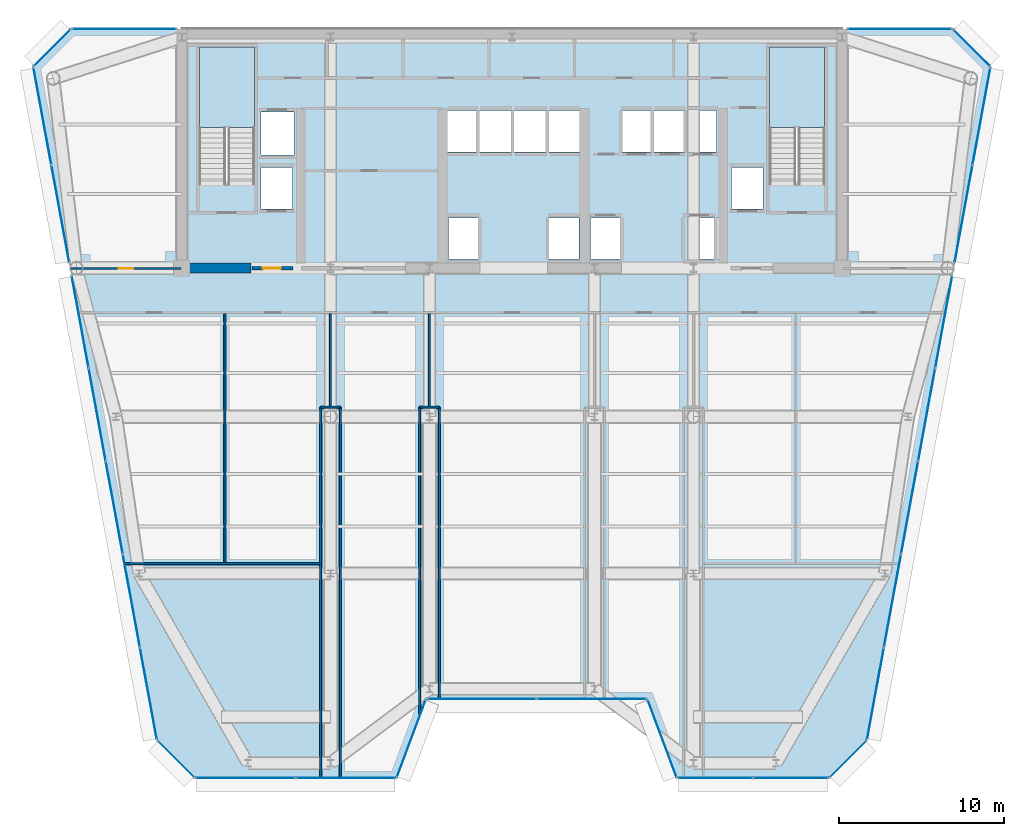
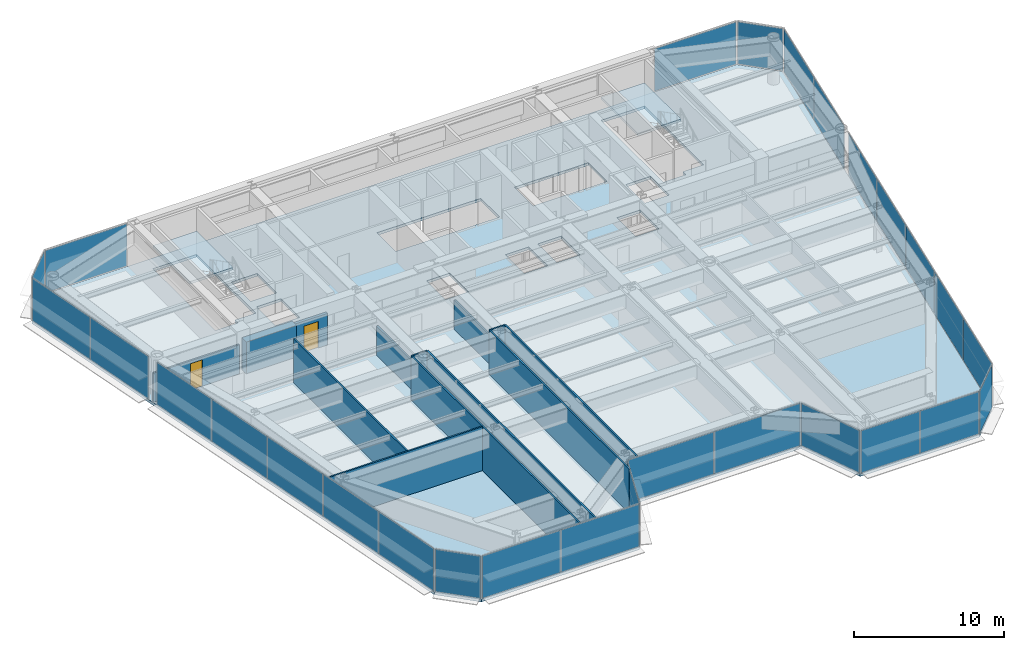
# One storey, part 9 of 16: 28 plates, 13 walls, 3 slabs, 2 doors, 2 openings, 17 elements without a shape of their own.
"""IFC4 building model written with IfcOpenShell, lengths in metres."""

from ifc_helpers import new_model, si_unit, direction, frame, frame_2d, origin, origin_2d, place, context, subcontext, project, spatial, polyline, rectangle, outline, extrude, source, transform, mapped, material, layer, layer_set, type_object, element, fill, aggregate, save


model = new_model("IFC4")

# Units and contexts
model_context = context("Model", 3, precision=1e-05, world=origin(), true_north=direction((0.0, 1.0)))
body_context = subcontext(model_context, "Body", "Model", "MODEL_VIEW")
ifc_project = project(units=[si_unit("LENGTHUNIT", "METRE"), si_unit("AREAUNIT", "SQUARE_METRE"), si_unit("VOLUMEUNIT", "CUBIC_METRE"), si_unit("PLANEANGLEUNIT", "RADIAN"), si_unit("MASSUNIT", "GRAM", prefix="KILO")], contexts=[model_context])

# Site, building, storey
site_placement = place(None, origin())
site = spatial("IfcSite", under=ifc_project, at=site_placement, CompositionType="ELEMENT")
building_placement = place(site_placement, origin())
building = spatial("IfcBuilding", under=site, at=building_placement, Name="Vaeldorn Concourse Tower", CompositionType="ELEMENT")
storey_placement = place(building_placement, frame((0.0, 0.0, 203.199951171875)))
storey = spatial("IfcBuildingStorey", under=building, at=storey_placement, Name="L52", CompositionType="ELEMENT", Elevation=203.199951171875)

# Stair, slab
ifc_material_1 = material(Name="Precast concrete C40/50", Category="concrete")
stair_type = type_object("IfcStairType", Name="STR-DOG-24x158", PredefinedType="HALF_TURN_STAIR", material=ifc_material_1)
stair_1_placement = place(storey_placement, origin())
stair_1 = element("IfcStair", 1, at=stair_1_placement, inside=storey, type_object=stair_type, Name="L52 West Core Exit Stair ST-1", PredefinedType="HALF_TURN_STAIR")
ifc_material_2 = material(Name="Concrete C40/50", Category="concrete")
ifc_layer_1 = layer(ifc_material_2, 0.199951171875)
ifc_layer_set_1 = layer_set([ifc_layer_1], Name="Concrete C40/50")
slab_type_1 = type_object("IfcSlabType", Name="SL-STAIR-LANDING", PredefinedType="LANDING", material=ifc_layer_set_1)
slab_1_placement = place(storey_placement, frame((0.0, 0.0, 1.699951171875)))
slab_1 = element("IfcSlab", 2, at=slab_1_placement, type_object=slab_type_1, Name="ST-1 landing 1", PredefinedType="LANDING", context=body_context, shape_type="SweptSolid", body=[
    extrude(outline(polyline([(18.39990234375, 45.010009765625), (18.39990234375, 49.89990234375), (15.050048828125, 49.89990234375), (15.050048828125, 45.010009765625), (18.39990234375, 45.010009765625)])), origin(), (0.0, 0.0, 1.0), 0.2001953125),
])
aggregate(stair_1, [slab_1])

stair_2_placement = place(storey_placement, origin())
stair_2 = element("IfcStair", 3, at=stair_2_placement, inside=storey, type_object=stair_type, Name="L52 East Core Exit Stair ST-2", PredefinedType="HALF_TURN_STAIR")
slab_2_placement = place(storey_placement, frame((0.0, 0.0, 1.699951171875)))
slab_2 = element("IfcSlab", 4, at=slab_2_placement, type_object=slab_type_1, Name="ST-2 landing 1", PredefinedType="LANDING", context=body_context, shape_type="SweptSolid", body=[
    extrude(outline(polyline([(52.949951171875, 45.010009765625), (52.949951171875, 49.89990234375), (49.60009765625, 49.89990234375), (49.60009765625, 45.010009765625), (52.949951171875, 45.010009765625)])), origin(), (0.0, 0.0, 1.0), 0.2001953125),
])
aggregate(stair_2, [slab_2])

# Slab
ifc_layer_2 = layer(ifc_material_2, 0.219970703125)
ifc_layer_set_2 = layer_set([ifc_layer_2], Name="Concrete C40/50")
slab_type_2 = type_object("IfcSlabType", Name="SL-TYP-220", PredefinedType="FLOOR", material=ifc_layer_set_2)
slab_3_placement = place(storey_placement, frame((0.0, 0.0, -0.219970703125)))
element("IfcSlab", 5, at=slab_3_placement, inside=storey, type_object=slab_type_2, Name="Structural Floor Slab L52", PredefinedType="FLOOR", context=body_context, shape_type="SweptSolid", body=[
    extrude(outline(polyline([(14.791015625, 5.60009765625), (27.0, 5.60009765625), (28.800048828125, 10.39990234375), (42.199951171875, 10.39990234375), (44.0, 5.60009765625), (53.208984375, 5.60009765625), (55.509033203125, 7.89990234375), (63.0, 48.699951171875), (60.699951171875, 51.0), (7.300048828125, 51.0), (5.0, 48.699951171875), (12.490966796875, 7.89990234375), (14.791015625, 5.60009765625)]), holes=[polyline([(18.39990234375, 42.0), (18.39990234375, 49.89990234375), (15.050048828125, 49.89990234375), (15.050048828125, 41.60009765625), (16.800048828125, 41.60009765625), (16.800048828125, 42.0), (18.39990234375, 42.0)]), polyline([(52.949951171875, 42.0), (52.949951171875, 49.89990234375), (49.60009765625, 49.89990234375), (49.60009765625, 41.60009765625), (51.35009765625, 41.60009765625), (51.35009765625, 42.0), (52.949951171875, 42.0)]), polyline([(30.14990234375, 37.050048828125), (31.949951171875, 37.050048828125), (31.949951171875, 39.550048828125), (30.14990234375, 39.550048828125), (30.14990234375, 37.050048828125)]), polyline([(36.25, 37.050048828125), (38.050048828125, 37.050048828125), (38.050048828125, 39.550048828125), (36.25, 39.550048828125), (36.25, 37.050048828125)]), polyline([(30.10009765625, 43.550048828125), (38.10009765625, 43.550048828125), (38.10009765625, 46.050048828125), (30.10009765625, 46.050048828125), (30.10009765625, 43.550048828125)]), polyline([(38.75, 37.050048828125), (40.550048828125, 37.050048828125), (40.550048828125, 39.550048828125), (38.75, 39.550048828125), (38.75, 37.050048828125)]), polyline([(44.85009765625, 37.050048828125), (46.64990234375, 37.050048828125), (46.64990234375, 39.550048828125), (44.85009765625, 39.550048828125), (44.85009765625, 37.050048828125)]), polyline([(40.699951171875, 43.550048828125), (46.39990234375, 43.550048828125), (46.39990234375, 46.050048828125), (40.699951171875, 46.050048828125), (40.699951171875, 43.550048828125)]), polyline([(18.800048828125, 43.35009765625), (20.800048828125, 43.35009765625), (20.800048828125, 45.949951171875), (18.800048828125, 45.949951171875), (18.800048828125, 43.35009765625)]), polyline([(18.800048828125, 40.10009765625), (20.699951171875, 40.10009765625), (20.699951171875, 42.60009765625), (18.800048828125, 42.60009765625), (18.800048828125, 40.10009765625)]), polyline([(47.300048828125, 40.10009765625), (49.199951171875, 40.10009765625), (49.199951171875, 42.60009765625), (47.300048828125, 42.60009765625), (47.300048828125, 40.10009765625)])]), origin(), (0.0, 0.0, 1.0), 0.219970703125),
])

# Curtain wall, plate
ifc_material_3 = material(Name="Anodised Bronze Aluminium", Category="aluminium")
ifc_layer_3 = layer(ifc_material_3, 0.18994140625)
ifc_layer_set_3 = layer_set([ifc_layer_3], Name="Anodised Bronze Aluminium")
curtain_wall_type = type_object("IfcCurtainWallType", Name="CW-SYS-03", PredefinedType="NOTDEFINED", material=ifc_layer_set_3)
curtain_wall_1_placement = place(storey_placement, origin())
curtain_wall_1 = element("IfcCurtainWall", 6, at=curtain_wall_1_placement, inside=storey, type_object=curtain_wall_type, Name="Unitised Curtain Wall CW-L52-E02-1", PredefinedType="NOTDEFINED")
ifc_material_4 = material(Name="Bronze Tinted Low-E Insulated Glass", Category="glass")
ifc_layer_4 = layer(ifc_material_4, 0.031982421875)
ifc_layer_set_4 = layer_set([ifc_layer_4], Name="Bronze Tinted Low-E Insulated Glass")
plate_type = type_object("IfcPlateType", Name="CWP-VISION-32", PredefinedType="CURTAIN_PANEL", material=ifc_layer_set_4)
shared_shape_1 = source(origin(), body_context, "Body", "SweptSolid", [
    extrude(rectangle(XDim=4.996337890625, YDim=0.031982421875, at=origin_2d()), origin(), (0.0, 0.0, 1.0), 3.449951171875),
])
plate_1_placement = place(storey_placement, frame((27.89990234375, 8.0, 0.06494140625), z_axis=(0.0, 0.0, 1.0), x_axis=(0.351123441595, 0.936329177566, 0.0)))
plate_1 = element("IfcPlate", 7, at=plate_1_placement, type_object=plate_type, Name="CW-03 panel 1.1", PredefinedType="CURTAIN_PANEL", context=body_context, shape_type="MappedRepresentation", body=[
    mapped(shared_shape_1, transform((0.0, 0.0, 0.0), scale=1.0)),
])
aggregate(curtain_wall_1, [plate_1])

curtain_wall_2_placement = place(storey_placement, origin())
curtain_wall_2 = element("IfcCurtainWall", 8, at=curtain_wall_2_placement, inside=storey, type_object=curtain_wall_type, Name="Unitised Curtain Wall CW-L52-E04-1", PredefinedType="NOTDEFINED")
plate_2_placement = place(storey_placement, frame((43.10009765625, 8.0, 0.06494140625), z_axis=(0.0, 0.0, 1.0), x_axis=(0.351123441595, -0.936329177566, 0.0)))
plate_2 = element("IfcPlate", 9, at=plate_2_placement, type_object=plate_type, Name="CW-03 panel 1.1", PredefinedType="CURTAIN_PANEL", context=body_context, shape_type="MappedRepresentation", body=[
    mapped(shared_shape_1, transform((0.0, 0.0, 0.0), scale=1.0)),
])
aggregate(curtain_wall_2, [plate_2])

# Curtain wall, plates
curtain_wall_3_placement = place(storey_placement, origin())
curtain_wall_3 = element("IfcCurtainWall", 10, at=curtain_wall_3_placement, inside=storey, type_object=curtain_wall_type, Name="Unitised Curtain Wall CW-L52-E03-1", PredefinedType="NOTDEFINED")
shared_shape_2 = source(origin(), body_context, "Body", "SweptSolid", [
    extrude(rectangle(XDim=6.6025390625, YDim=0.031982421875, at=origin_2d()), origin(), (0.0, 0.0, 1.0), 3.449951171875),
])
plate_3_placement = place(storey_placement, frame((32.166259765625, 10.39990234375, 0.06494140625), z_axis=(0.0, 0.0, 1.0), x_axis=(1.0, 0.0, 0.0)))
plate_3 = element("IfcPlate", 11, at=plate_3_placement, type_object=plate_type, Name="CW-03 panel 1.1", PredefinedType="CURTAIN_PANEL", context=body_context, shape_type="MappedRepresentation", body=[
    mapped(shared_shape_2, transform((0.0, 0.0, 0.0), scale=1.0)),
])
plate_4_placement = place(storey_placement, frame((38.833740234375, 10.39990234375, 0.06494140625), z_axis=(0.0, 0.0, 1.0), x_axis=(1.0, 0.0, 0.0)))
plate_4 = element("IfcPlate", 12, at=plate_4_placement, type_object=plate_type, Name="CW-03 panel 2.1", PredefinedType="CURTAIN_PANEL", context=body_context, shape_type="MappedRepresentation", body=[
    mapped(shared_shape_2, transform((0.0, 0.0, 0.0), scale=1.0)),
])
aggregate(curtain_wall_3, [plate_3, plate_4])

# Curtain wall, plate
curtain_wall_4_placement = place(storey_placement, origin())
curtain_wall_4 = element("IfcCurtainWall", 13, at=curtain_wall_4_placement, inside=storey, type_object=curtain_wall_type, Name="Unitised Curtain Wall CW-L52-E06-1", PredefinedType="NOTDEFINED")
shared_shape_3 = source(origin(), body_context, "Body", "SweptSolid", [
    extrude(rectangle(XDim=3.122802734375, YDim=0.031982421875, at=origin_2d()), origin(), (0.0, 0.0, 1.0), 3.449951171875),
])
plate_5_placement = place(storey_placement, frame((54.35888671875, 6.75, 0.06494140625), z_axis=(0.0, 0.0, 1.0), x_axis=(0.707106781187, 0.707106781187, 0.0)))
plate_5 = element("IfcPlate", 14, at=plate_5_placement, type_object=plate_type, Name="CW-03 panel 1.1", PredefinedType="CURTAIN_PANEL", context=body_context, shape_type="MappedRepresentation", body=[
    mapped(shared_shape_3, transform((0.0, 0.0, 0.0), scale=1.0)),
])
aggregate(curtain_wall_4, [plate_5])

curtain_wall_5_placement = place(storey_placement, origin())
curtain_wall_5 = element("IfcCurtainWall", 15, at=curtain_wall_5_placement, inside=storey, type_object=curtain_wall_type, Name="Unitised Curtain Wall CW-L52-E08-1", PredefinedType="NOTDEFINED")
plate_6_placement = place(storey_placement, frame((61.85009765625, 49.85009765625, 0.06494140625), z_axis=(0.0, 0.0, 1.0), x_axis=(-0.707106781187, 0.707106781187, 0.0)))
plate_6 = element("IfcPlate", 16, at=plate_6_placement, type_object=plate_type, Name="CW-03 panel 1.1", PredefinedType="CURTAIN_PANEL", context=body_context, shape_type="MappedRepresentation", body=[
    mapped(shared_shape_3, transform((0.0, 0.0, 0.0), scale=1.0)),
])
aggregate(curtain_wall_5, [plate_6])

curtain_wall_6_placement = place(storey_placement, origin())
curtain_wall_6 = element("IfcCurtainWall", 17, at=curtain_wall_6_placement, inside=storey, type_object=curtain_wall_type, Name="Unitised Curtain Wall CW-L52-E10-1", PredefinedType="NOTDEFINED")
plate_7_placement = place(storey_placement, frame((6.14990234375, 49.85009765625, 0.06494140625), z_axis=(0.0, 0.0, 1.0), x_axis=(-0.707106781187, -0.707106781187, 0.0)))
plate_7 = element("IfcPlate", 18, at=plate_7_placement, type_object=plate_type, Name="CW-03 panel 1.1", PredefinedType="CURTAIN_PANEL", context=body_context, shape_type="MappedRepresentation", body=[
    mapped(shared_shape_3, transform((0.0, 0.0, 0.0), scale=1.0)),
])
aggregate(curtain_wall_6, [plate_7])

curtain_wall_7_placement = place(storey_placement, origin())
curtain_wall_7 = element("IfcCurtainWall", 19, at=curtain_wall_7_placement, inside=storey, type_object=curtain_wall_type, Name="Unitised Curtain Wall CW-L52-E12-1", PredefinedType="NOTDEFINED")
plate_8_placement = place(storey_placement, frame((13.64111328125, 6.75, 0.06494140625), z_axis=(0.0, 0.0, 1.0), x_axis=(0.707106781187, -0.707106781187, 0.0)))
plate_8 = element("IfcPlate", 20, at=plate_8_placement, type_object=plate_type, Name="CW-03 panel 1.1", PredefinedType="CURTAIN_PANEL", context=body_context, shape_type="MappedRepresentation", body=[
    mapped(shared_shape_3, transform((0.0, 0.0, 0.0), scale=1.0)),
])
aggregate(curtain_wall_7, [plate_8])

curtain_wall_8_placement = place(storey_placement, origin())
curtain_wall_8 = element("IfcCurtainWall", 21, at=curtain_wall_8_placement, inside=storey, type_object=curtain_wall_type, Name="Unitised Curtain Wall CW-L52-E09-1", PredefinedType="NOTDEFINED")
shared_shape_4 = source(origin(), body_context, "Body", "SweptSolid", [
    extrude(rectangle(XDim=6.27490234375, YDim=0.031982421875, at=origin_2d()), origin(), (0.0, 0.0, 1.0), 3.449951171875),
])
plate_9_placement = place(storey_placement, frame((57.49755859375, 51.0, 0.06494140625), z_axis=(0.0, 0.0, 1.0), x_axis=(-1.0, 0.0, 0.0)))
plate_9 = element("IfcPlate", 22, at=plate_9_placement, type_object=plate_type, Name="CW-03 panel 1.1", PredefinedType="CURTAIN_PANEL", context=body_context, shape_type="MappedRepresentation", body=[
    mapped(shared_shape_4, transform((0.0, 0.0, 0.0), scale=1.0)),
])
aggregate(curtain_wall_8, [plate_9])

curtain_wall_9_placement = place(storey_placement, origin())
curtain_wall_9 = element("IfcCurtainWall", 23, at=curtain_wall_9_placement, inside=storey, type_object=curtain_wall_type, Name="Unitised Curtain Wall CW-L52-E09-2", PredefinedType="NOTDEFINED")
plate_10_placement = place(storey_placement, frame((10.50244140625, 51.0, 0.06494140625), z_axis=(0.0, 0.0, 1.0), x_axis=(-1.0, 0.0, 0.0)))
plate_10 = element("IfcPlate", 24, at=plate_10_placement, type_object=plate_type, Name="CW-03 panel 1.1", PredefinedType="CURTAIN_PANEL", context=body_context, shape_type="MappedRepresentation", body=[
    mapped(shared_shape_4, transform((0.0, 0.0, 0.0), scale=1.0)),
])
aggregate(curtain_wall_9, [plate_10])

# Curtain wall, plates
curtain_wall_10_placement = place(storey_placement, origin())
curtain_wall_10 = element("IfcCurtainWall", 25, at=curtain_wall_10_placement, inside=storey, type_object=curtain_wall_type, Name="Unitised Curtain Wall CW-L52-E07-1", PredefinedType="NOTDEFINED")
shared_shape_5 = source(origin(), body_context, "Body", "SweptSolid", [
    extrude(rectangle(XDim=5.63330078125, YDim=0.031982421875, at=origin_2d()), origin(), (0.0, 0.0, 1.0), 3.449951171875),
])
plate_11_placement = place(storey_placement, frame((56.029296875, 10.734375, 0.06494140625), z_axis=(0.0, 0.0, 1.0), x_axis=(0.180585309951, 0.983559325018, 0.0)))
plate_11 = element("IfcPlate", 26, at=plate_11_placement, type_object=plate_type, Name="CW-03 panel 1.1", PredefinedType="CURTAIN_PANEL", context=body_context, shape_type="MappedRepresentation", body=[
    mapped(shared_shape_5, transform((0.0, 0.0, 0.0), scale=1.0)),
])
plate_12_placement = place(storey_placement, frame((60.1630859375, 33.249267578125, 0.06494140625), z_axis=(0.0, 0.0, 1.0), x_axis=(0.180585309951, 0.983559325018, 0.0)))
plate_12 = element("IfcPlate", 27, at=plate_12_placement, type_object=plate_type, Name="CW-03 panel 5.1", PredefinedType="CURTAIN_PANEL", context=body_context, shape_type="MappedRepresentation", body=[
    mapped(shared_shape_5, transform((0.0, 0.0, 0.0), scale=1.0)),
])

curtain_wall_11_placement = place(storey_placement, origin())
curtain_wall_11 = element("IfcCurtainWall", 28, at=curtain_wall_11_placement, inside=storey, type_object=curtain_wall_type, Name="Unitised Curtain Wall CW-L52-E11-2", PredefinedType="NOTDEFINED")
plate_13_placement = place(storey_placement, frame((7.8369140625, 33.249267578125, 0.06494140625), z_axis=(0.0, 0.0, 1.0), x_axis=(0.180585309951, -0.983559325018, 0.0)))
plate_13 = element("IfcPlate", 29, at=plate_13_placement, type_object=plate_type, Name="CW-03 panel 1.1", PredefinedType="CURTAIN_PANEL", context=body_context, shape_type="MappedRepresentation", body=[
    mapped(shared_shape_5, transform((0.0, 0.0, 0.0), scale=1.0)),
])
plate_14_placement = place(storey_placement, frame((11.970703125, 10.734375, 0.06494140625), z_axis=(0.0, 0.0, 1.0), x_axis=(0.180585309951, -0.983559325018, 0.0)))
plate_14 = element("IfcPlate", 30, at=plate_14_placement, type_object=plate_type, Name="CW-03 panel 5.1", PredefinedType="CURTAIN_PANEL", context=body_context, shape_type="MappedRepresentation", body=[
    mapped(shared_shape_5, transform((0.0, 0.0, 0.0), scale=1.0)),
])

# Plate
shared_shape_6 = source(origin(), body_context, "Body", "SweptSolid", [
    extrude(rectangle(XDim=5.666015625, YDim=0.031982421875, at=origin_2d()), origin(), (0.0, 0.0, 1.0), 3.449951171875),
])
plate_15_placement = place(storey_placement, frame((57.061279296875, 16.35498046875, 0.06494140625), z_axis=(0.0, 0.0, 1.0), x_axis=(0.180585309951, 0.983559325018, 0.0)))
plate_15 = element("IfcPlate", 31, at=plate_15_placement, type_object=plate_type, Name="CW-03 panel 2.1", PredefinedType="CURTAIN_PANEL", context=body_context, shape_type="MappedRepresentation", body=[
    mapped(shared_shape_6, transform((0.0, 0.0, 0.0), scale=1.0)),
])

plate_16_placement = place(storey_placement, frame((58.09619140625, 21.99169921875, 0.06494140625), z_axis=(0.0, 0.0, 1.0), x_axis=(0.180585309951, 0.983559325018, 0.0)))
plate_16 = element("IfcPlate", 32, at=plate_16_placement, type_object=plate_type, Name="CW-03 panel 3.1", PredefinedType="CURTAIN_PANEL", context=body_context, shape_type="MappedRepresentation", body=[
    mapped(shared_shape_6, transform((0.0, 0.0, 0.0), scale=1.0)),
])

plate_17_placement = place(storey_placement, frame((59.131103515625, 27.62841796875, 0.06494140625), z_axis=(0.0, 0.0, 1.0), x_axis=(0.180585309951, 0.983559325018, 0.0)))
plate_17 = element("IfcPlate", 33, at=plate_17_placement, type_object=plate_type, Name="CW-03 panel 4.1", PredefinedType="CURTAIN_PANEL", context=body_context, shape_type="MappedRepresentation", body=[
    mapped(shared_shape_6, transform((0.0, 0.0, 0.0), scale=1.0)),
])

aggregate(curtain_wall_10, [plate_11, plate_15, plate_16, plate_17, plate_12])

plate_18_placement = place(storey_placement, frame((8.868896484375, 27.62841796875, 0.06494140625), z_axis=(0.0, 0.0, 1.0), x_axis=(0.180585309951, -0.983559325018, 0.0)))
plate_18 = element("IfcPlate", 34, at=plate_18_placement, type_object=plate_type, Name="CW-03 panel 2.1", PredefinedType="CURTAIN_PANEL", context=body_context, shape_type="MappedRepresentation", body=[
    mapped(shared_shape_6, transform((0.0, 0.0, 0.0), scale=1.0)),
])

plate_19_placement = place(storey_placement, frame((9.90380859375, 21.99169921875, 0.06494140625), z_axis=(0.0, 0.0, 1.0), x_axis=(0.180585309951, -0.983559325018, 0.0)))
plate_19 = element("IfcPlate", 35, at=plate_19_placement, type_object=plate_type, Name="CW-03 panel 3.1", PredefinedType="CURTAIN_PANEL", context=body_context, shape_type="MappedRepresentation", body=[
    mapped(shared_shape_6, transform((0.0, 0.0, 0.0), scale=1.0)),
])

plate_20_placement = place(storey_placement, frame((10.938720703125, 16.35498046875, 0.06494140625), z_axis=(0.0, 0.0, 1.0), x_axis=(0.180585309951, -0.983559325018, 0.0)))
plate_20 = element("IfcPlate", 36, at=plate_20_placement, type_object=plate_type, Name="CW-03 panel 4.1", PredefinedType="CURTAIN_PANEL", context=body_context, shape_type="MappedRepresentation", body=[
    mapped(shared_shape_6, transform((0.0, 0.0, 0.0), scale=1.0)),
])

aggregate(curtain_wall_11, [plate_13, plate_18, plate_19, plate_20, plate_14])

# Curtain wall, plates
curtain_wall_12_placement = place(storey_placement, origin())
curtain_wall_12 = element("IfcCurtainWall", 37, at=curtain_wall_12_placement, inside=storey, type_object=curtain_wall_type, Name="Unitised Curtain Wall CW-L52-E07-2", PredefinedType="NOTDEFINED")
shared_shape_7 = source(origin(), body_context, "Body", "SweptSolid", [
    extrude(rectangle(XDim=5.9482421875, YDim=0.031982421875, at=origin_2d()), origin(), (0.0, 0.0, 1.0), 3.449951171875),
])
plate_21_placement = place(storey_placement, frame((61.365234375, 39.796630859375, 0.06494140625), z_axis=(0.0, 0.0, 1.0), x_axis=(0.180584576845, 0.983559459619, 0.0)))
plate_21 = element("IfcPlate", 38, at=plate_21_placement, type_object=plate_type, Name="CW-03 panel 1.1", PredefinedType="CURTAIN_PANEL", context=body_context, shape_type="MappedRepresentation", body=[
    mapped(shared_shape_7, transform((0.0, 0.0, 0.0), scale=1.0)),
])
plate_22_placement = place(storey_placement, frame((62.451171875, 45.7109375, 0.06494140625), z_axis=(0.0, 0.0, 1.0), x_axis=(0.180584576845, 0.983559459619, 0.0)))
plate_22 = element("IfcPlate", 39, at=plate_22_placement, type_object=plate_type, Name="CW-03 panel 2.1", PredefinedType="CURTAIN_PANEL", context=body_context, shape_type="MappedRepresentation", body=[
    mapped(shared_shape_7, transform((0.0, 0.0, 0.0), scale=1.0)),
])
aggregate(curtain_wall_12, [plate_21, plate_22])

curtain_wall_13_placement = place(storey_placement, origin())
curtain_wall_13 = element("IfcCurtainWall", 40, at=curtain_wall_13_placement, inside=storey, type_object=curtain_wall_type, Name="Unitised Curtain Wall CW-L52-E11-1", PredefinedType="NOTDEFINED")
plate_23_placement = place(storey_placement, frame((5.548828125, 45.7109375, 0.06494140625), z_axis=(0.0, 0.0, 1.0), x_axis=(0.180584576845, -0.983559459619, 0.0)))
plate_23 = element("IfcPlate", 41, at=plate_23_placement, type_object=plate_type, Name="CW-03 panel 1.1", PredefinedType="CURTAIN_PANEL", context=body_context, shape_type="MappedRepresentation", body=[
    mapped(shared_shape_7, transform((0.0, 0.0, 0.0), scale=1.0)),
])
plate_24_placement = place(storey_placement, frame((6.634765625, 39.796630859375, 0.06494140625), z_axis=(0.0, 0.0, 1.0), x_axis=(0.180584576845, -0.983559459619, 0.0)))
plate_24 = element("IfcPlate", 42, at=plate_24_placement, type_object=plate_type, Name="CW-03 panel 2.1", PredefinedType="CURTAIN_PANEL", context=body_context, shape_type="MappedRepresentation", body=[
    mapped(shared_shape_7, transform((0.0, 0.0, 0.0), scale=1.0)),
])
aggregate(curtain_wall_13, [plate_23, plate_24])

curtain_wall_14_placement = place(storey_placement, origin())
curtain_wall_14 = element("IfcCurtainWall", 43, at=curtain_wall_14_placement, inside=storey, type_object=curtain_wall_type, Name="Unitised Curtain Wall CW-L52-E01-1", PredefinedType="NOTDEFINED")
shared_shape_8 = source(origin(), body_context, "Body", "SweptSolid", [
    extrude(rectangle(XDim=6.007080078125, YDim=0.031982421875, at=origin_2d()), origin(), (0.0, 0.0, 1.0), 3.449951171875),
])
plate_25_placement = place(storey_placement, frame((17.859619140625, 5.60009765625, 0.06494140625), z_axis=(0.0, 0.0, 1.0), x_axis=(1.0, 0.0, 0.0)))
plate_25 = element("IfcPlate", 44, at=plate_25_placement, type_object=plate_type, Name="CW-03 panel 1.1", PredefinedType="CURTAIN_PANEL", context=body_context, shape_type="MappedRepresentation", body=[
    mapped(shared_shape_8, transform((0.0, 0.0, 0.0), scale=1.0)),
])
plate_26_placement = place(storey_placement, frame((23.931396484375, 5.60009765625, 0.06494140625), z_axis=(0.0, 0.0, 1.0), x_axis=(1.0, 0.0, 0.0)))
plate_26 = element("IfcPlate", 45, at=plate_26_placement, type_object=plate_type, Name="CW-03 panel 2.1", PredefinedType="CURTAIN_PANEL", context=body_context, shape_type="MappedRepresentation", body=[
    mapped(shared_shape_8, transform((0.0, 0.0, 0.0), scale=1.0)),
])
aggregate(curtain_wall_14, [plate_25, plate_26])

curtain_wall_15_placement = place(storey_placement, origin())
curtain_wall_15 = element("IfcCurtainWall", 46, at=curtain_wall_15_placement, inside=storey, type_object=curtain_wall_type, Name="Unitised Curtain Wall CW-L52-E05-1", PredefinedType="NOTDEFINED")
shared_shape_9 = source(origin(), body_context, "Body", "SweptSolid", [
    extrude(rectangle(XDim=4.507080078125, YDim=0.031982421875, at=origin_2d()), origin(), (0.0, 0.0, 1.0), 3.449951171875),
])
plate_27_placement = place(storey_placement, frame((46.318603515625, 5.60009765625, 0.06494140625), z_axis=(0.0, 0.0, 1.0), x_axis=(1.0, 0.0, 0.0)))
plate_27 = element("IfcPlate", 47, at=plate_27_placement, type_object=plate_type, Name="CW-03 panel 1.1", PredefinedType="CURTAIN_PANEL", context=body_context, shape_type="MappedRepresentation", body=[
    mapped(shared_shape_9, transform((0.0, 0.0, 0.0), scale=1.0)),
])
plate_28_placement = place(storey_placement, frame((50.890380859375, 5.60009765625, 0.06494140625), z_axis=(0.0, 0.0, 1.0), x_axis=(1.0, 0.0, 0.0)))
plate_28 = element("IfcPlate", 48, at=plate_28_placement, type_object=plate_type, Name="CW-03 panel 2.1", PredefinedType="CURTAIN_PANEL", context=body_context, shape_type="MappedRepresentation", body=[
    mapped(shared_shape_9, transform((0.0, 0.0, 0.0), scale=1.0)),
])
aggregate(curtain_wall_15, [plate_27, plate_28])

# Wall
ifc_material_5 = material(Name="Concrete C50/60", Category="concrete")
ifc_layer_5 = layer(ifc_material_5, 0.60009765625)
ifc_layer_set_5 = layer_set([ifc_layer_5], Name="Concrete C50/60")
wall_type_1 = type_object("IfcWallType", Name="WL-CORE-600", PredefinedType="SHEAR", material=ifc_layer_set_5)
wall_1_placement = place(storey_placement, frame((14.320068359375, 36.5, 0.0), z_axis=(0.0, 0.0, 1.0), x_axis=(1.0, 0.0, 0.0)))
element("IfcWall", 49, at=wall_1_placement, inside=storey, type_object=wall_type_1, Name="Rear Core Shear Wall L52 S1", PredefinedType="SHEAR", context=body_context, shape_type="SweptSolid", body=[
    extrude(rectangle(XDim=3.8798828125, YDim=0.60009765625, at=frame_2d((1.93994140625, 0.0))), origin(), (0.0, 0.0, 1.0), 2.580078125),
])

# Wall, opening, door
ifc_material_6 = material(Name="Gypsum Board Partition", Category="gypsum")
ifc_layer_6 = layer(ifc_material_6, 0.1201171875)
ifc_layer_set_6 = layer_set([ifc_layer_6], Name="Gypsum Board Partition")
wall_type_2 = type_object("IfcWallType", Name="WL-PART-120", PredefinedType="PARTITIONING", material=ifc_layer_set_6)
wall_2_placement = place(storey_placement, frame((7.2890625, 36.47998046875, 0.0), z_axis=(0.0, 0.0, 1.0), x_axis=(1.0, 0.0, 0.0)))
wall_2 = element("IfcWall", 50, at=wall_2_placement, inside=storey, type_object=wall_type_2, Name="Interior Wall PW-L52-NWS", PredefinedType="PARTITIONING", context=body_context, shape_type="SweptSolid", body=[
    extrude(rectangle(XDim=6.65087890625, YDim=0.1201171875, at=frame_2d((3.325439453125, 0.0))), origin(), (0.0, 0.0, 1.0), 2.3701171875),
])
opening_1_placement = place(wall_2_placement, frame((2.875, 0.0, 0.0)))
opening_1 = element("IfcOpeningElement", 51, at=opening_1_placement, cuts=wall_2, Name="Opening D-03", PredefinedType="OPENING", context=body_context, shape_type="SweptSolid", body=[
    extrude(rectangle(XDim=0.89990234375, YDim=2.14990234375, at=frame_2d((0.449951171875, 1.074951171875))), frame((0.0, 0.070068359375, 0.0), z_axis=(0.0, -1.0, 0.0), x_axis=(1.0, 0.0, 0.0)), (0.0, 0.0, 1.0), 0.14013671875),
])
ifc_material_7 = material(Name="Acoustic Bronze-Framed Glass Door", Category="glass")
door_type_1 = type_object("IfcDoorType", Name="DR-INT-900", OperationType="NOTDEFINED", PredefinedType="DOOR", material=ifc_material_7)
shared_shape_10 = source(origin(), body_context, "Body", "SweptSolid", [
    extrude(rectangle(XDim=0.89990234375, YDim=2.14990234375, at=frame_2d((0.449951171875, 1.074951171875))), frame((0.0, 0.02490234375, 0.0), z_axis=(0.0, -1.0, 0.0), x_axis=(1.0, 0.0, 0.0)), (0.0, 0.0, 1.0), 0.050048828125),
])
door_1_placement = place(opening_1_placement, origin())
door_1 = element("IfcDoor", 52, at=door_1_placement, inside=storey, type_object=door_type_1, Name="Interior Door DR-L52-NWC", OperationType="SINGLE_SWING_LEFT", OverallHeight=2.14990234375, OverallWidth=0.89990234375, PredefinedType="DOOR", context=body_context, shape_type="MappedRepresentation", body=[
    mapped(shared_shape_10, transform((0.0, 0.0, 0.0), scale=1.0)),
])
fill(opening_1, door_1)

# Walls
wall_3_placement = place(storey_placement, frame((10.56640625, 18.60009765625, 0.0), z_axis=(0.0, 0.0, 1.0), x_axis=(1.0, 0.0, 0.0)))
element("IfcWall", 53, at=wall_3_placement, inside=storey, type_object=wall_type_2, Name="Interior Wall PW-L52-FLW", PredefinedType="PARTITIONING", context=body_context, shape_type="SweptSolid", body=[
    extrude(rectangle(XDim=11.793701171875, YDim=0.1201171875, at=frame_2d((5.89697265625, 0.0))), origin(), (0.0, 0.0, 1.0), 3.580078125),
])
for number, where, z_axis, x_axis, name in (
    (54, (22.39990234375, 5.639892578125, 0.0), (0.0, 0.0, 1.0), (0.0, 1.0, 0.0), "Interior Wall PW-L52-SB1W"),
    (55, (23.60009765625, 5.639892578125, 0.0), (0.0, 0.0, 1.0), (0.0, 1.0, 0.0), "Interior Wall PW-L52-SB1E"),
):
    element("IfcWall", number, at=place(storey_placement, frame(where, z_axis=z_axis, x_axis=x_axis)), inside=storey, type_object=wall_type_2, Name=name, PredefinedType="PARTITIONING", context=body_context, shape_type="SweptSolid", body=[
        extrude(rectangle(XDim=22.440185546875, YDim=0.1201171875, at=frame_2d((11.22021484375, 0.0))), origin(), (0.0, 0.0, 1.0), 3.580078125),
    ])
wall_4_placement = place(storey_placement, frame((22.39990234375, 28.080078125, 0.0), z_axis=(0.0, 0.0, 1.0), x_axis=(1.0, 0.0, 0.0)))
element("IfcWall", 56, at=wall_4_placement, inside=storey, type_object=wall_type_2, Name="Interior Wall PW-L52-SB1N", PredefinedType="PARTITIONING", context=body_context, shape_type="SweptSolid", body=[
    extrude(rectangle(XDim=1.2001953125, YDim=0.1201171875, at=frame_2d((0.60009765625, 0.0))), origin(), (0.0, 0.0, 1.0), 3.580078125),
])
wall_5_placement = place(storey_placement, frame((23.0, 28.139892578125, 0.0), z_axis=(0.0, 0.0, 1.0), x_axis=(0.0, 1.0, 0.0)))
element("IfcWall", 57, at=wall_5_placement, inside=storey, type_object=wall_type_2, Name="Interior Wall PW-L52-SBP1", PredefinedType="PARTITIONING", context=body_context, shape_type="SweptSolid", body=[
    extrude(rectangle(XDim=5.60009765625, YDim=0.1201171875, at=frame_2d((2.800048828125, 0.0))), origin(), (0.0, 0.0, 1.0), 2.3701171875),
])
wall_6_placement = place(storey_placement, frame((28.39990234375, 9.373291015625, 0.0), z_axis=(0.0, 0.0, 1.0), x_axis=(0.0, 1.0, 0.0)))
element("IfcWall", 58, at=wall_6_placement, inside=storey, type_object=wall_type_2, Name="Interior Wall PW-L52-SB2W", PredefinedType="PARTITIONING", context=body_context, shape_type="SweptSolid", body=[
    extrude(rectangle(XDim=18.706787109375, YDim=0.1201171875, at=frame_2d((9.353515625, 0.0))), origin(), (0.0, 0.0, 1.0), 3.580078125),
])
wall_7_placement = place(storey_placement, frame((29.60009765625, 10.43994140625, 0.0), z_axis=(0.0, 0.0, 1.0), x_axis=(0.0, 1.0, 0.0)))
element("IfcWall", 59, at=wall_7_placement, inside=storey, type_object=wall_type_2, Name="Interior Wall PW-L52-SB2E", PredefinedType="PARTITIONING", context=body_context, shape_type="SweptSolid", body=[
    extrude(rectangle(XDim=17.64013671875, YDim=0.1201171875, at=frame_2d((8.820068359375, 0.0))), origin(), (0.0, 0.0, 1.0), 3.580078125),
])
wall_8_placement = place(storey_placement, frame((28.39990234375, 28.080078125, 0.0), z_axis=(0.0, 0.0, 1.0), x_axis=(1.0, 0.0, 0.0)))
element("IfcWall", 60, at=wall_8_placement, inside=storey, type_object=wall_type_2, Name="Interior Wall PW-L52-SB2N", PredefinedType="PARTITIONING", context=body_context, shape_type="SweptSolid", body=[
    extrude(rectangle(XDim=1.2001953125, YDim=0.1201171875, at=frame_2d((0.60009765625, 0.0))), origin(), (0.0, 0.0, 1.0), 3.580078125),
])
wall_9_placement = place(storey_placement, frame((29.0, 28.139892578125, 0.0), z_axis=(0.0, 0.0, 1.0), x_axis=(0.0, 1.0, 0.0)))
element("IfcWall", 61, at=wall_9_placement, inside=storey, type_object=wall_type_2, Name="Interior Wall PW-L52-SBP2", PredefinedType="PARTITIONING", context=body_context, shape_type="SweptSolid", body=[
    extrude(rectangle(XDim=5.60009765625, YDim=0.1201171875, at=frame_2d((2.800048828125, 0.0))), origin(), (0.0, 0.0, 1.0), 2.3701171875),
])
wall_10_placement = place(storey_placement, frame((16.60009765625, 18.639892578125, 0.0), z_axis=(0.0, 0.0, 1.0), x_axis=(0.0, 1.0, 0.0)))
element("IfcWall", 62, at=wall_10_placement, inside=storey, type_object=wall_type_2, Name="Interior Wall PW-L52-SBX1", PredefinedType="PARTITIONING", context=body_context, shape_type="SweptSolid", body=[
    extrude(rectangle(XDim=15.10009765625, YDim=0.1201171875, at=frame_2d((7.550048828125, 0.0))), origin(), (0.0, 0.0, 1.0), 3.580078125),
])

# Wall, opening, door
ifc_layer_7 = layer(ifc_material_5, 0.199951171875)
ifc_layer_set_7 = layer_set([ifc_layer_7], Name="Concrete C50/60")
wall_type_3 = type_object("IfcWallType", Name="WL-SHAFT-200", PredefinedType="SOLIDWALL", material=ifc_layer_set_7)
wall_11_placement = place(storey_placement, frame((18.25, 36.5, 0.0), z_axis=(0.0, 0.0, 1.0), x_axis=(1.0, 0.0, 0.0)))
wall_11 = element("IfcWall", 63, at=wall_11_placement, inside=storey, type_object=wall_type_3, Name="Interior Wall CW-L52-FF1S", PredefinedType="SOLIDWALL", context=body_context, shape_type="SweptSolid", body=[
    extrude(rectangle(XDim=2.469970703125, YDim=0.199951171875, at=frame_2d((1.23486328125, 0.0))), origin(), (0.0, 0.0, 1.0), 2.570068359375),
])
opening_2_placement = place(wall_11_placement, frame((0.64990234375, 0.0, 0.0)))
opening_2 = element("IfcOpeningElement", 64, at=opening_2_placement, cuts=wall_11, Name="Opening D-01", PredefinedType="OPENING", context=body_context, shape_type="SweptSolid", body=[
    extrude(rectangle(XDim=1.10009765625, YDim=2.14990234375, at=frame_2d((0.550048828125, 1.074951171875))), frame((0.0, 0.10986328125, 0.0), z_axis=(0.0, -1.0, 0.0), x_axis=(1.0, 0.0, 0.0)), (0.0, 0.0, 1.0), 0.219970703125),
])
ifc_material_8 = material(Name="Fire-Rated Timber and Steel Leaf", Category="steel")
door_type_2 = type_object("IfcDoorType", Name="DR-FD60-1100", OperationType="NOTDEFINED", PredefinedType="DOOR", material=ifc_material_8)
shared_shape_11 = source(origin(), body_context, "Body", "SweptSolid", [
    extrude(rectangle(XDim=1.10009765625, YDim=2.14990234375, at=frame_2d((0.550048828125, 1.074951171875))), frame((0.0, 0.02490234375, 0.0), z_axis=(0.0, -1.0, 0.0), x_axis=(1.0, 0.0, 0.0)), (0.0, 0.0, 1.0), 0.050048828125),
])
door_2_placement = place(opening_2_placement, origin())
door_2 = element("IfcDoor", 65, at=door_2_placement, inside=storey, type_object=door_type_2, Name="Interior Door DR-L52-FF1E", OperationType="SINGLE_SWING_RIGHT", OverallHeight=2.14990234375, OverallWidth=1.10009765625, PredefinedType="DOOR", context=body_context, shape_type="MappedRepresentation", body=[
    mapped(shared_shape_11, transform((0.0, 0.0, 0.0), scale=1.0)),
])
fill(opening_2, door_2)

save(model, "model.ifc")
